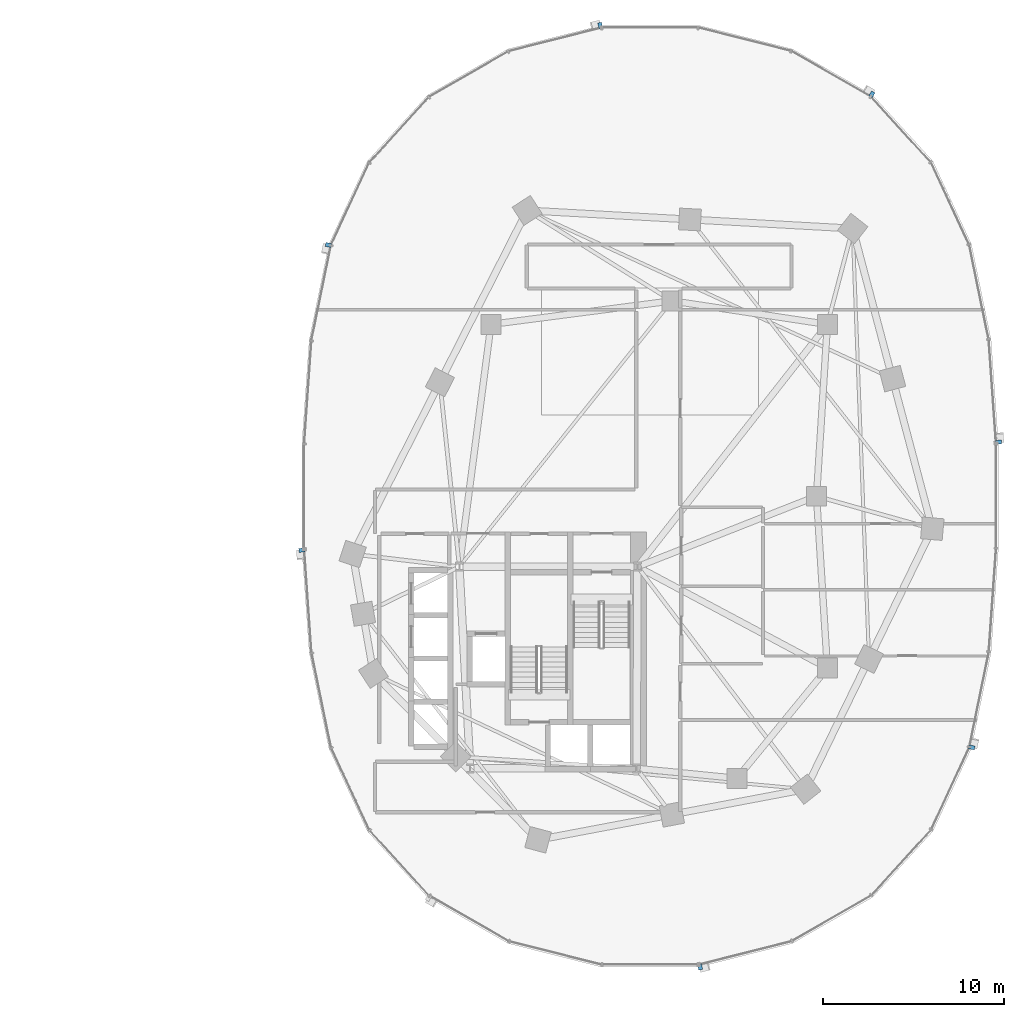
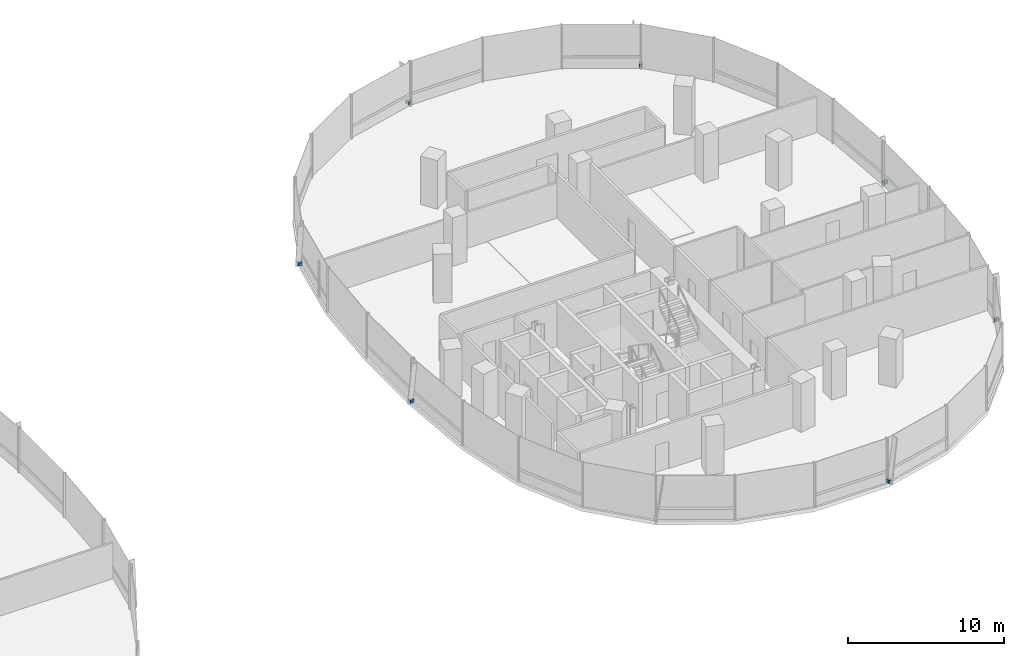
# One storey, part 16 of 21: 7 discrete accessories.
"""IFC4 building model written with IfcOpenShell, lengths in metres."""

import ifcopenshell
import ifcopenshell.guid

model = None  # the IFC model being written
_history = None  # IfcOwnerHistory: only IFC2X3 demands one
_inside = {}  # id of a spatial element -> (the spatial element, [elements in it])
_under = {}  # id of a project, library or spatial element -> (it, [spatial elements below it])
_declared = {}  # id of a project -> (the project, [libraries it declares])
_typed = {}  # id of a type object -> (the type object, [elements of that type])
_made_of = {}  # id of a material, layer set ... -> (it, [elements and type objects made of it])


def new_model(schema):
    """Start an empty IFC model of exactly this schema.

    Asked for "IFC4X3", IfcOpenShell would pick the latest addendum, in which some entities
    have other attributes; the version numbers below select the first issue.
    IFC2X3 requires an IfcOwnerHistory on every rooted entity: one is made here for all.
    """
    global model, _history
    if schema == "IFC4X3":
        model = ifcopenshell.file(schema_version=(4, 3, 0, 0))
    else:
        model = ifcopenshell.file(schema=schema)
    _inside.clear()
    _under.clear()
    _declared.clear()
    _typed.clear()
    _made_of.clear()
    _history = None
    if model.schema == "IFC2X3":
        org = make("IfcOrganization", Name="unknown")
        user = make(
            "IfcPersonAndOrganization",
            ThePerson=make("IfcPerson", FamilyName="unknown"),
            TheOrganization=org,
        )
        app = make(
            "IfcApplication",
            ApplicationDeveloper=org,
            Version="unknown",
            ApplicationFullName="unknown",
            ApplicationIdentifier="unknown",
        )
        _history = make(
            "IfcOwnerHistory",
            OwningUser=user,
            OwningApplication=app,
            ChangeAction="ADDED",
            CreationDate=0,
        )
    return model


def make(cls, **values):
    """One entity of the class cls with the attributes given. An attribute that is None is left unset."""
    return model.create_entity(
        cls, **{name: value for name, value in values.items() if value is not None}
    )


def rooted(cls, **values):
    """An entity with a GlobalId (a new one), such as an element, a storey or a relation."""
    return make(cls, GlobalId=ifcopenshell.guid.new(), OwnerHistory=_history, **values)


def si_unit(unit_type, name, prefix=None):
    """IfcSIUnit, for example si_unit("LENGTHUNIT", "METRE", prefix="MILLI")."""
    return make("IfcSIUnit", UnitType=unit_type, Prefix=prefix, Name=name)


def assignment(units):
    """IfcUnitAssignment: the units of a project."""
    return None if units is None else make("IfcUnitAssignment", Units=units)


def point(xyz):
    """IfcCartesianPoint."""
    return None if xyz is None else make("IfcCartesianPoint", Coordinates=xyz)


def direction(xyz):
    """IfcDirection."""
    return None if xyz is None else make("IfcDirection", DirectionRatios=xyz)


def frame(location, z_axis=None, x_axis=None):
    """IfcAxis2Placement3D, a coordinate frame: its origin and axes. An axis left out is left unset."""
    return make(
        "IfcAxis2Placement3D",
        Location=point(location),
        Axis=direction(z_axis),
        RefDirection=direction(x_axis),
    )


def frame_2d(location, x_axis=None):
    """IfcAxis2Placement2D, a coordinate frame in the plane: its origin and x axis."""
    return make(
        "IfcAxis2Placement2D", Location=point(location), RefDirection=direction(x_axis)
    )


def origin():
    """The frame at (0, 0, 0) with its axes left unset."""
    return frame((0.0, 0.0, 0.0))


def origin_2d():
    """The frame at (0, 0) in the plane with its x axis left unset."""
    return frame_2d((0.0, 0.0))


def place(relative_to, where):
    """IfcLocalPlacement: puts the frame where relative to a parent placement (None: the world)."""
    return make(
        "IfcLocalPlacement", PlacementRelTo=relative_to, RelativePlacement=where
    )


def context(
    kind, dimensions, precision=None, world=None, true_north=None, identifier=None
):
    """IfcGeometricRepresentationContext, for example the 3D "Model" context."""
    return make(
        "IfcGeometricRepresentationContext",
        ContextIdentifier=identifier,
        ContextType=kind,
        CoordinateSpaceDimension=dimensions,
        Precision=precision,
        WorldCoordinateSystem=world,
        TrueNorth=true_north,
    )


def subcontext(parent, identifier, kind, view, scale=None):
    """IfcGeometricRepresentationSubContext, for example "Body" below "Model"."""
    return make(
        "IfcGeometricRepresentationSubContext",
        ContextIdentifier=identifier,
        ContextType=kind,
        ParentContext=parent,
        TargetScale=scale,
        TargetView=view,
    )


def project(units=None, contexts=None):
    """IfcProject with its units and contexts."""
    return rooted(
        "IfcProject",
        Name="project",
        RepresentationContexts=contexts,
        UnitsInContext=assignment(units),
    )


def spatial(cls, under=None, at=None, **own):
    """A site, building, storey or space (cls), placed at a placement, below another one or the project."""
    s = rooted(cls, ObjectPlacement=at, **own)
    if under is not None:
        _under.setdefault(under.id(), (under, []))[1].append(s)
    return s


def profile(cls, at=None, kind="AREA", **sizes):
    """A parametric profile (cls). Its sizes go by their IFC names, for example OverallWidth=200.0."""
    return make(cls, ProfileType=kind, Position=at, **sizes)


def rectangle(**sizes):
    """IfcRectangleProfileDef."""
    return profile("IfcRectangleProfileDef", **sizes)


def extrude(swept, where, along, depth):
    """IfcExtrudedAreaSolid: the profile swept, set in the frame where, extruded along a direction by depth."""
    return make(
        "IfcExtrudedAreaSolid",
        SweptArea=swept,
        Position=where,
        ExtrudedDirection=direction(along),
        Depth=depth,
    )


def shape(context_of_items, identifier, shape_type, items):
    """IfcShapeRepresentation: the items that make up one representation, for example the "Body"."""
    return make(
        "IfcShapeRepresentation",
        ContextOfItems=context_of_items,
        RepresentationIdentifier=identifier,
        RepresentationType=shape_type,
        Items=items,
    )


def material(Name=None, Category=None):
    """IfcMaterial."""
    return make("IfcMaterial", Name=Name, Category=Category)


def made_of(thing, what):
    """Note that an element or type object is made of a material, layer set ...; save() writes the relation."""
    if what is not None:
        _made_of.setdefault(what.id(), (what, []))[1].append(thing)
    return thing


def type_object(cls, material=None, **own):
    """A type object (cls), such as IfcWallType, which elements share."""
    return made_of(rooted(cls, **own), material)


def element(
    cls,
    number,
    at=None,
    inside=None,
    cuts=None,
    type_object=None,
    material=None,
    context=None,
    identifier="Body",
    shape_type=None,
    held_by="IfcProductDefinitionShape",
    body=None,
    shapes=None,
    **own,
):
    """One element of the class cls, such as IfcWall. Its Tag is "e" and its number.

    at: its placement. inside: the storey or other place that contains it. cuts: it is an
    opening in that element (IfcRelVoidsElement). A single representation is given by context,
    identifier, shape_type and body (its items); several are given by shapes. held_by: the class
    of the entity that holds the representations. save() writes the other relations.
    """
    e = rooted(cls, Tag="e%d" % number, ObjectPlacement=at, **own)
    if body is not None:
        shapes = [shape(context, identifier, shape_type, body)]
    if shapes is not None:
        e.Representation = make(held_by, Representations=shapes)
    if inside is not None:
        _inside.setdefault(inside.id(), (inside, []))[1].append(e)
    if cuts is not None:
        rooted(
            "IfcRelVoidsElement", RelatingBuildingElement=cuts, RelatedOpeningElement=e
        )
    if type_object is not None:
        _typed.setdefault(type_object.id(), (type_object, []))[1].append(e)
    return made_of(e, material)


def aggregate(whole, parts):
    """IfcRelAggregates: a whole, such as a stair, and the parts it consists of."""
    return rooted("IfcRelAggregates", RelatingObject=whole, RelatedObjects=parts)


def save(model, path):
    """Write the relations noted so far, then the file.

    IfcRelAggregates (storeys below a building ...), IfcRelContainedInSpatialStructure (elements
    in a storey), IfcRelDefinesByType, IfcRelAssociatesMaterial and IfcRelDeclares: one each for
    every whole, place, type object, material and project.
    """
    for whole, parts in _under.values():
        aggregate(whole, parts)
    for where, things in _inside.values():
        rooted(
            "IfcRelContainedInSpatialStructure",
            RelatedElements=things,
            RelatingStructure=where,
        )
    for kind, things in _typed.values():
        rooted("IfcRelDefinesByType", RelatedObjects=things, RelatingType=kind)
    for what, things in _made_of.values():
        rooted("IfcRelAssociatesMaterial", RelatedObjects=things, RelatingMaterial=what)
    for by, libraries in _declared.values():
        rooted("IfcRelDeclares", RelatingContext=by, RelatedDefinitions=libraries)
    model.write(path)


model = new_model("IFC4")

# Units and contexts
model_context = context("Model", 3, precision=1e-05, world=origin(), true_north=direction((0.0, 1.0)))
body_context = subcontext(model_context, "Body", "Model", "MODEL_VIEW")
ifc_project = project(units=[si_unit("LENGTHUNIT", "METRE"), si_unit("AREAUNIT", "SQUARE_METRE"), si_unit("VOLUMEUNIT", "CUBIC_METRE"), si_unit("PLANEANGLEUNIT", "RADIAN"), si_unit("MASSUNIT", "GRAM", prefix="KILO"), si_unit("THERMODYNAMICTEMPERATUREUNIT", "KELVIN"), si_unit("POWERUNIT", "WATT")], contexts=[model_context])

# Site, building, storey
site_placement = place(None, origin())
site = spatial("IfcSite", under=ifc_project, at=site_placement, CompositionType="ELEMENT")
building_placement = place(site_placement, origin())
building = spatial("IfcBuilding", under=site, at=building_placement, Name="Cundina Bronze Exchange", CompositionType="ELEMENT")
storey_placement = place(building_placement, frame((0.0, 0.0, 46.800048828125)))
storey = spatial("IfcBuildingStorey", under=building, at=storey_placement, Name="L11", CompositionType="ELEMENT", Elevation=46.800048828125)

# Discrete accessories
ifc_material = material(Name="Anodised Bronze Aluminium 6063-T6", Category="aluminium")
discrete_accessory_type = type_object("IfcDiscreteAccessoryType", Name="ACC-BRK-FIN", PredefinedType="BRACKET", material=ifc_material)
for number, where, z_axis, x_axis, name in (
    (1, (51.264404296875, 2.986083984375, 0.10009765625), (0.0, 0.0, 1.0), (-0.070278787473, 0.997527389113, 0.0), "L11 Fin Support Bracket 1"),
    (2, (44.259521484375, 22.21875, 0.10009765625), (0.0, 0.0, 1.0), (-0.867105478933, 0.498124571171, 0.0), "L11 Fin Support Bracket 5"),
    (3, (29.23974609375, 26.03173828125, 0.10009765625), (0.0, 0.0, 1.0), (-0.969488149345, -0.245138182011, 0.0), "L11 Fin Support Bracket 1"),
    (4, (14.211669921875, 13.8896484375, 0.10009765625), (0.0, 0.0, 1.0), (-0.201419845156, -0.979505000486, 0.0), "L11 Fin Support Bracket 5"),
    (5, (12.735595703125, -2.986083984375, 0.10009765625), (0.0, 0.0, 1.0), (0.070278787473, -0.997527389113, 0.0), "L11 Fin Support Bracket 1"),
    (6, (34.76025390625, -26.03173828125, 0.10009765625), (0.0, 0.0, 1.0), (0.969488149345, 0.245138182011, 0.0), "L11 Fin Support Bracket 1"),
    (7, (49.788330078125, -13.8896484375, 0.10009765625), (0.0, 0.0, 1.0), (0.201419845156, 0.979505000486, 0.0), "L11 Fin Support Bracket 5"),
):
    element("IfcDiscreteAccessory", number, at=place(storey_placement, frame(where, z_axis=z_axis, x_axis=x_axis)), inside=storey, type_object=discrete_accessory_type, Name=name, PredefinedType="BRACKET", context=body_context, shape_type="SweptSolid", body=[
        extrude(rectangle(XDim=0.219970703125, YDim=0.320068359375, at=origin_2d()), origin(), (0.0, 0.0, 1.0), 0.239990234375),
    ])

save(model, "model.ifc")
